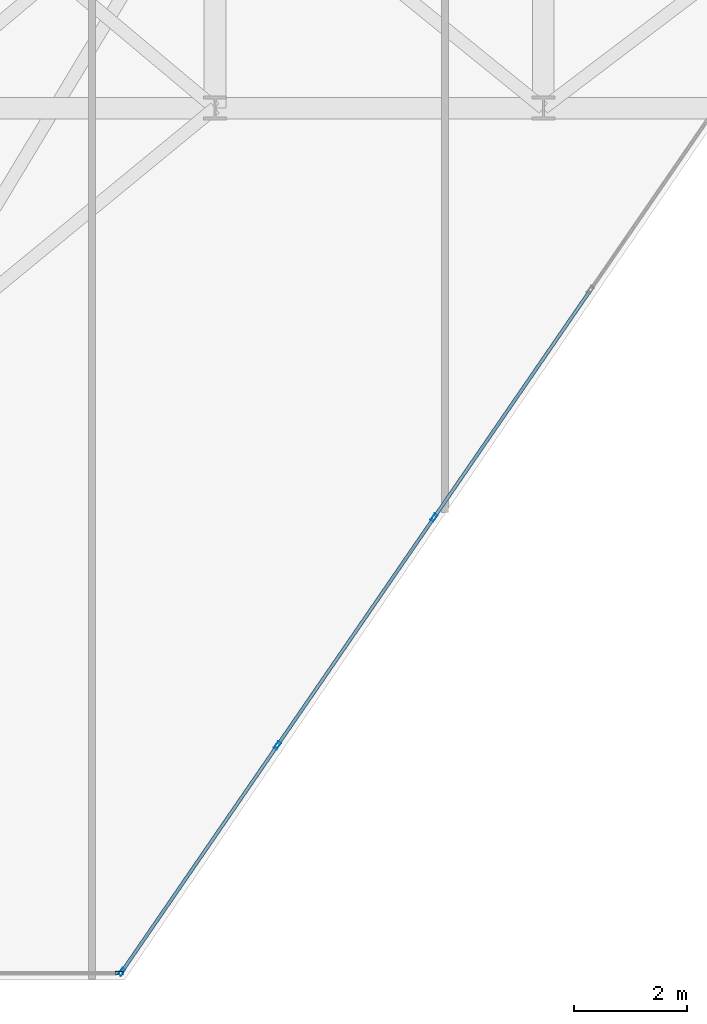
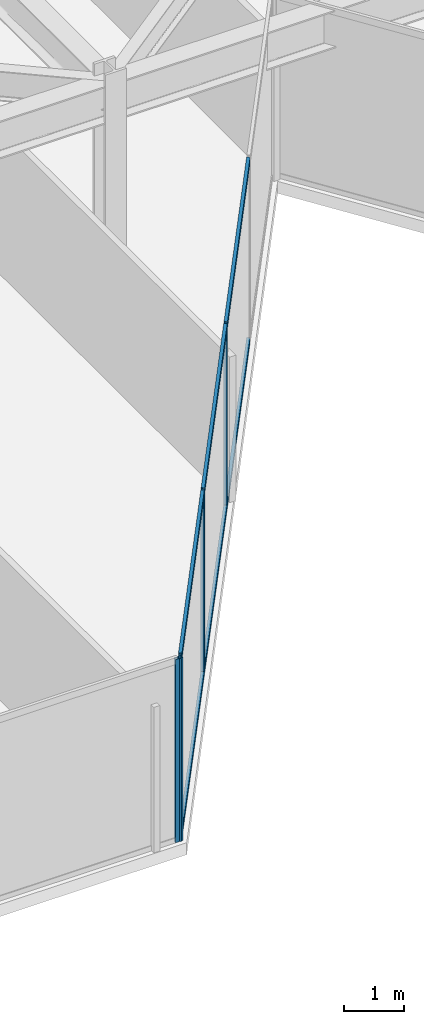
# One storey, part 4 of 21: 10 members, 2 elements without a shape of their own.
"""IFC4 building model written with IfcOpenShell, lengths in metres."""

from ifc_helpers import new_model, si_unit, direction, frame, origin, origin_2d, place, context, subcontext, project, spatial, hollow_rectangle, extrude, material, layer, layer_set, material_profile, profile_set, type_object, element, aggregate, save


model = new_model("IFC4")

# Units and contexts
model_context = context("Model", 3, precision=1e-05, world=origin(), true_north=direction((0.0, 1.0)))
body_context = subcontext(model_context, "Body", "Model", "MODEL_VIEW")
ifc_project = project(units=[si_unit("LENGTHUNIT", "METRE"), si_unit("AREAUNIT", "SQUARE_METRE"), si_unit("VOLUMEUNIT", "CUBIC_METRE"), si_unit("PLANEANGLEUNIT", "RADIAN"), si_unit("MASSUNIT", "GRAM", prefix="KILO")], contexts=[model_context])

# Site, building, storey
site_placement = place(None, origin())
site = spatial("IfcSite", under=ifc_project, at=site_placement, CompositionType="ELEMENT")
building_placement = place(site_placement, origin())
building = spatial("IfcBuilding", under=site, at=building_placement, Name="Kravanh Interchange Tower", CompositionType="ELEMENT")
storey_placement = place(building_placement, frame((0.0, 0.0, 192.5)))
storey = spatial("IfcBuildingStorey", under=building, at=storey_placement, Name="L46", CompositionType="ELEMENT", Elevation=192.5)

# Curtain wall, members
ifc_material_1 = material(Name="Anodised Bronze Aluminium", Category="aluminium")
ifc_layer = layer(ifc_material_1, 0.179931640625)
ifc_layer_set = layer_set([ifc_layer], Name="Unitised Curtain Wall System CW-Z3 Upper Office")
curtain_wall_type = type_object("IfcCurtainWallType", Name="Unitised Curtain Wall System CW-Z3 Upper Office", PredefinedType="NOTDEFINED", material=ifc_layer_set)
curtain_wall_1_placement = place(storey_placement, origin())
curtain_wall_1 = element("IfcCurtainWall", 1, at=curtain_wall_1_placement, inside=storey, type_object=curtain_wall_type, Name="L46 Unitised Curtain Wall CW-L46-04", PredefinedType="NOTDEFINED")
ifc_material_2 = material(Name="Anodised Bronze Aluminium", Category="aluminium")
ifc_material_profile_1 = material_profile(ifc_material_2, hollow_rectangle(XDim=0.06005859375, YDim=0.139892578125, WallThickness=0.00390625, at=origin_2d()), Name="ALU60X140X4")
ifc_profile_set_1 = profile_set([ifc_material_profile_1], Name="Anodised Bronze Aluminium")
member_type_1 = type_object("IfcMemberType", Name="Curtain Wall Mullion ALU60X140X4 Bronze", PredefinedType="MULLION", material=ifc_profile_set_1)
member_1_placement = place(storey_placement, frame((36.66845703125, 19.56591796875, 0.0), z_axis=(0.0, 0.0, 1.0), x_axis=(0.824042223035, -0.566528388217, 0.0)))
member_1 = element("IfcMember", 2, at=member_1_placement, type_object=member_type_1, Name="CW-Z3 mullion 3", PredefinedType="MULLION", context=body_context, shape_type="SweptSolid", body=[
    extrude(hollow_rectangle(XDim=0.06005859375, YDim=0.139892578125, WallThickness=0.00390625, at=origin_2d()), origin(), (0.0, 0.0, 1.0), 3.7548828125),
])
member_2_placement = place(storey_placement, frame((33.902587890625, 15.54296875, 0.0), z_axis=(0.0, 0.0, 1.0), x_axis=(0.824042223035, -0.566528388217, 0.0)))
member_2 = element("IfcMember", 3, at=member_2_placement, type_object=member_type_1, Name="CW-Z3 mullion 4", PredefinedType="MULLION", context=body_context, shape_type="SweptSolid", body=[
    extrude(hollow_rectangle(XDim=0.06005859375, YDim=0.139892578125, WallThickness=0.00390625, at=origin_2d()), origin(), (0.0, 0.0, 1.0), 3.7548828125),
])
member_3_placement = place(storey_placement, frame((31.15380859375, 11.544677734375, 0.0), z_axis=(0.0, 0.0, 1.0), x_axis=(0.824042223035, -0.566528388217, 0.0)))
member_3 = element("IfcMember", 4, at=member_3_placement, type_object=member_type_1, Name="CW-Z3 mullion 5", PredefinedType="MULLION", context=body_context, shape_type="SweptSolid", body=[
    extrude(hollow_rectangle(XDim=0.06005859375, YDim=0.139892578125, WallThickness=0.00390625, at=origin_2d()), origin(), (0.0, 0.0, 1.0), 3.7548828125),
])

# Curtain wall, member
curtain_wall_2_placement = place(storey_placement, origin())
curtain_wall_2 = element("IfcCurtainWall", 5, at=curtain_wall_2_placement, inside=storey, type_object=curtain_wall_type, Name="L46 Unitised Curtain Wall CW-L46-05", PredefinedType="NOTDEFINED")
member_4_placement = place(storey_placement, frame((31.10693359375, 11.52001953125, 0.0), z_axis=(0.0, 0.0, 1.0), x_axis=(0.0, -1.0, 0.0)))
member_4 = element("IfcMember", 6, at=member_4_placement, type_object=member_type_1, Name="CW-Z3 mullion 1", PredefinedType="MULLION", context=body_context, shape_type="SweptSolid", body=[
    extrude(hollow_rectangle(XDim=0.06005859375, YDim=0.139892578125, WallThickness=0.00390625, at=origin_2d()), origin(), (0.0, 0.0, 1.0), 3.7548828125),
])
aggregate(curtain_wall_2, [member_4])

# Member
ifc_material_3 = material(Name="Anodised Bronze Aluminium", Category="aluminium")
ifc_material_profile_2 = material_profile(ifc_material_3, hollow_rectangle(XDim=0.06005859375, YDim=0.139892578125, WallThickness=0.00390625, at=origin_2d()), Name="ALU60X140X4")
ifc_profile_set_2 = profile_set([ifc_material_profile_2], Name="Anodised Bronze Aluminium")
member_type_2 = type_object("IfcMemberType", Name="Curtain Wall Transom ALU60X140X4 Bronze", PredefinedType="USERDEFINED", material=ifc_profile_set_2)
member_5_placement = place(storey_placement, frame((39.417236328125, 23.564208984375, 0.030029296875), z_axis=(-0.566503037389, -0.824059651135, 0.0), x_axis=(0.824059651135, -0.566503037389, 0.0)))
member_5 = element("IfcMember", 7, at=member_5_placement, type_object=member_type_2, Name="CW-Z3 transom 2.1", ObjectType="TRANSOM", PredefinedType="USERDEFINED", context=body_context, shape_type="SweptSolid", body=[
    extrude(hollow_rectangle(XDim=0.06005859375, YDim=0.139892578125, WallThickness=0.00390625, at=origin_2d()), origin(), (0.0, 0.0, 1.0), 4.822021484375),
])

member_6_placement = place(storey_placement, frame((39.417236328125, 23.564208984375, 3.72509765625), z_axis=(-0.566503037389, -0.824059651135, 0.0), x_axis=(0.824059651135, -0.566503037389, 0.0)))
member_6 = element("IfcMember", 8, at=member_6_placement, type_object=member_type_2, Name="CW-Z3 transom 2.2", ObjectType="TRANSOM", PredefinedType="USERDEFINED", context=body_context, shape_type="SweptSolid", body=[
    extrude(hollow_rectangle(XDim=0.06005859375, YDim=0.139892578125, WallThickness=0.00390625, at=origin_2d()), origin(), (0.0, 0.0, 1.0), 4.822021484375),
])

member_7_placement = place(storey_placement, frame((36.6513671875, 19.541259765625, 0.030029296875), z_axis=(-0.566503037389, -0.824059651135, 0.0), x_axis=(0.824059651135, -0.566503037389, 0.0)))
member_7 = element("IfcMember", 9, at=member_7_placement, type_object=member_type_2, Name="CW-Z3 transom 3.1", ObjectType="TRANSOM", PredefinedType="USERDEFINED", context=body_context, shape_type="SweptSolid", body=[
    extrude(hollow_rectangle(XDim=0.06005859375, YDim=0.139892578125, WallThickness=0.00390625, at=origin_2d()), origin(), (0.0, 0.0, 1.0), 4.822021484375),
])

member_8_placement = place(storey_placement, frame((36.6513671875, 19.541259765625, 3.72509765625), z_axis=(-0.566503037389, -0.824059651135, 0.0), x_axis=(0.824059651135, -0.566503037389, 0.0)))
member_8 = element("IfcMember", 10, at=member_8_placement, type_object=member_type_2, Name="CW-Z3 transom 3.2", ObjectType="TRANSOM", PredefinedType="USERDEFINED", context=body_context, shape_type="SweptSolid", body=[
    extrude(hollow_rectangle(XDim=0.06005859375, YDim=0.139892578125, WallThickness=0.00390625, at=origin_2d()), origin(), (0.0, 0.0, 1.0), 4.822021484375),
])

member_9_placement = place(storey_placement, frame((33.8857421875, 15.518310546875, 0.030029296875), z_axis=(-0.566518012045, -0.824049356549, 0.0), x_axis=(0.824049356549, -0.566518012045, 0.0)))
member_9 = element("IfcMember", 11, at=member_9_placement, type_object=member_type_2, Name="CW-Z3 transom 4.1", ObjectType="TRANSOM", PredefinedType="USERDEFINED", context=body_context, shape_type="SweptSolid", body=[
    extrude(hollow_rectangle(XDim=0.06005859375, YDim=0.139892578125, WallThickness=0.00390625, at=origin_2d()), origin(), (0.0, 0.0, 1.0), 4.792236328125),
])

member_10_placement = place(storey_placement, frame((33.8857421875, 15.518310546875, 3.72509765625), z_axis=(-0.566518012045, -0.824049356549, 0.0), x_axis=(0.824049356549, -0.566518012045, 0.0)))
member_10 = element("IfcMember", 12, at=member_10_placement, type_object=member_type_2, Name="CW-Z3 transom 4.2", ObjectType="TRANSOM", PredefinedType="USERDEFINED", context=body_context, shape_type="SweptSolid", body=[
    extrude(hollow_rectangle(XDim=0.06005859375, YDim=0.139892578125, WallThickness=0.00390625, at=origin_2d()), origin(), (0.0, 0.0, 1.0), 4.792236328125),
])

aggregate(curtain_wall_1, [member_1, member_2, member_3, member_5, member_6, member_7, member_8, member_9, member_10])

save(model, "model.ifc")
